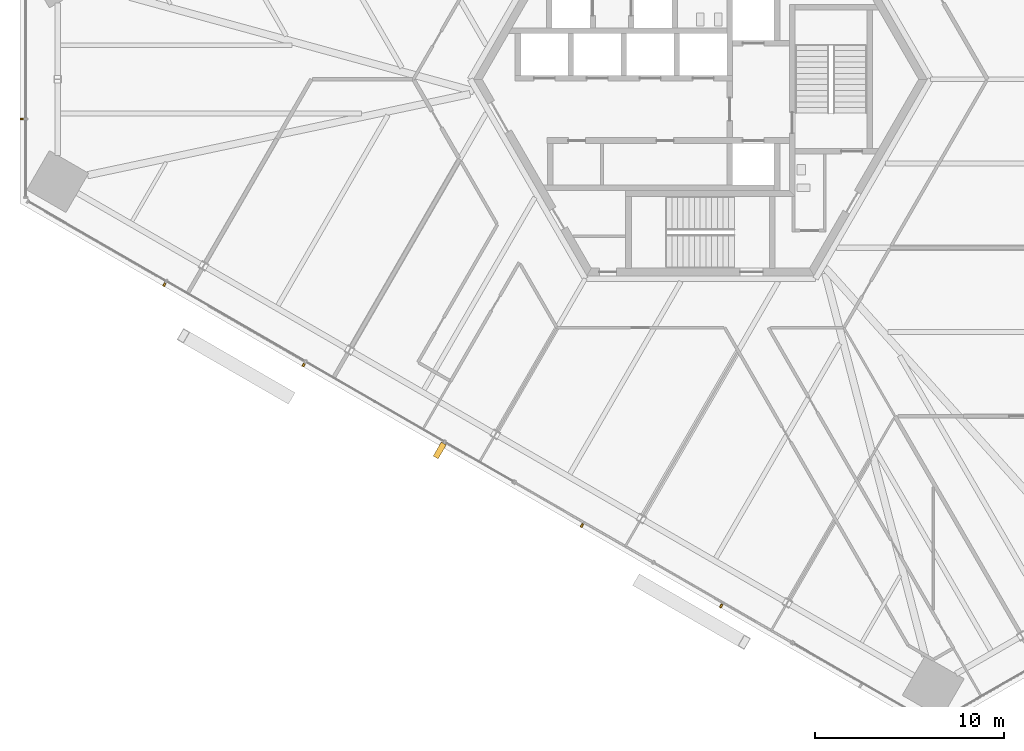
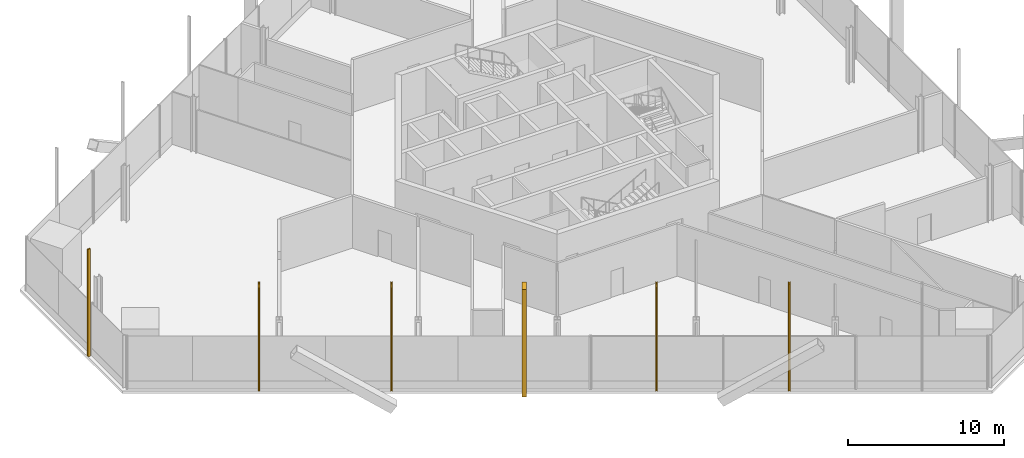
# One storey, part 15 of 19: 6 shading devices.
"""IFC4 building model written with IfcOpenShell, lengths in metres."""

import ifcopenshell
import ifcopenshell.guid

model = None  # the IFC model being written
_history = None  # IfcOwnerHistory: only IFC2X3 demands one
_inside = {}  # id of a spatial element -> (the spatial element, [elements in it])
_under = {}  # id of a project, library or spatial element -> (it, [spatial elements below it])
_declared = {}  # id of a project -> (the project, [libraries it declares])
_typed = {}  # id of a type object -> (the type object, [elements of that type])
_made_of = {}  # id of a material, layer set ... -> (it, [elements and type objects made of it])


def new_model(schema):
    """Start an empty IFC model of exactly this schema.

    Asked for "IFC4X3", IfcOpenShell would pick the latest addendum, in which some entities
    have other attributes; the version numbers below select the first issue.
    IFC2X3 requires an IfcOwnerHistory on every rooted entity: one is made here for all.
    """
    global model, _history
    if schema == "IFC4X3":
        model = ifcopenshell.file(schema_version=(4, 3, 0, 0))
    else:
        model = ifcopenshell.file(schema=schema)
    _inside.clear()
    _under.clear()
    _declared.clear()
    _typed.clear()
    _made_of.clear()
    _history = None
    if model.schema == "IFC2X3":
        org = make("IfcOrganization", Name="unknown")
        user = make(
            "IfcPersonAndOrganization",
            ThePerson=make("IfcPerson", FamilyName="unknown"),
            TheOrganization=org,
        )
        app = make(
            "IfcApplication",
            ApplicationDeveloper=org,
            Version="unknown",
            ApplicationFullName="unknown",
            ApplicationIdentifier="unknown",
        )
        _history = make(
            "IfcOwnerHistory",
            OwningUser=user,
            OwningApplication=app,
            ChangeAction="ADDED",
            CreationDate=0,
        )
    return model


def make(cls, **values):
    """One entity of the class cls with the attributes given. An attribute that is None is left unset."""
    return model.create_entity(
        cls, **{name: value for name, value in values.items() if value is not None}
    )


def rooted(cls, **values):
    """An entity with a GlobalId (a new one), such as an element, a storey or a relation."""
    return make(cls, GlobalId=ifcopenshell.guid.new(), OwnerHistory=_history, **values)


def si_unit(unit_type, name, prefix=None):
    """IfcSIUnit, for example si_unit("LENGTHUNIT", "METRE", prefix="MILLI")."""
    return make("IfcSIUnit", UnitType=unit_type, Prefix=prefix, Name=name)


def assignment(units):
    """IfcUnitAssignment: the units of a project."""
    return None if units is None else make("IfcUnitAssignment", Units=units)


def point(xyz):
    """IfcCartesianPoint."""
    return None if xyz is None else make("IfcCartesianPoint", Coordinates=xyz)


def direction(xyz):
    """IfcDirection."""
    return None if xyz is None else make("IfcDirection", DirectionRatios=xyz)


def frame(location, z_axis=None, x_axis=None):
    """IfcAxis2Placement3D, a coordinate frame: its origin and axes. An axis left out is left unset."""
    return make(
        "IfcAxis2Placement3D",
        Location=point(location),
        Axis=direction(z_axis),
        RefDirection=direction(x_axis),
    )


def frame_2d(location, x_axis=None):
    """IfcAxis2Placement2D, a coordinate frame in the plane: its origin and x axis."""
    return make(
        "IfcAxis2Placement2D", Location=point(location), RefDirection=direction(x_axis)
    )


def origin():
    """The frame at (0, 0, 0) with its axes left unset."""
    return frame((0.0, 0.0, 0.0))


def origin_2d():
    """The frame at (0, 0) in the plane with its x axis left unset."""
    return frame_2d((0.0, 0.0))


def place(relative_to, where):
    """IfcLocalPlacement: puts the frame where relative to a parent placement (None: the world)."""
    return make(
        "IfcLocalPlacement", PlacementRelTo=relative_to, RelativePlacement=where
    )


def context(
    kind, dimensions, precision=None, world=None, true_north=None, identifier=None
):
    """IfcGeometricRepresentationContext, for example the 3D "Model" context."""
    return make(
        "IfcGeometricRepresentationContext",
        ContextIdentifier=identifier,
        ContextType=kind,
        CoordinateSpaceDimension=dimensions,
        Precision=precision,
        WorldCoordinateSystem=world,
        TrueNorth=true_north,
    )


def subcontext(parent, identifier, kind, view, scale=None):
    """IfcGeometricRepresentationSubContext, for example "Body" below "Model"."""
    return make(
        "IfcGeometricRepresentationSubContext",
        ContextIdentifier=identifier,
        ContextType=kind,
        ParentContext=parent,
        TargetScale=scale,
        TargetView=view,
    )


def project(units=None, contexts=None):
    """IfcProject with its units and contexts."""
    return rooted(
        "IfcProject",
        Name="project",
        RepresentationContexts=contexts,
        UnitsInContext=assignment(units),
    )


def spatial(cls, under=None, at=None, **own):
    """A site, building, storey or space (cls), placed at a placement, below another one or the project."""
    s = rooted(cls, ObjectPlacement=at, **own)
    if under is not None:
        _under.setdefault(under.id(), (under, []))[1].append(s)
    return s


def profile(cls, at=None, kind="AREA", **sizes):
    """A parametric profile (cls). Its sizes go by their IFC names, for example OverallWidth=200.0."""
    return make(cls, ProfileType=kind, Position=at, **sizes)


def rectangle(**sizes):
    """IfcRectangleProfileDef."""
    return profile("IfcRectangleProfileDef", **sizes)


def extrude(swept, where, along, depth):
    """IfcExtrudedAreaSolid: the profile swept, set in the frame where, extruded along a direction by depth."""
    return make(
        "IfcExtrudedAreaSolid",
        SweptArea=swept,
        Position=where,
        ExtrudedDirection=direction(along),
        Depth=depth,
    )


def shape(context_of_items, identifier, shape_type, items):
    """IfcShapeRepresentation: the items that make up one representation, for example the "Body"."""
    return make(
        "IfcShapeRepresentation",
        ContextOfItems=context_of_items,
        RepresentationIdentifier=identifier,
        RepresentationType=shape_type,
        Items=items,
    )


def source(mapping_origin, context_of_items, identifier, shape_type, items):
    """IfcRepresentationMap: a shape defined once, which mapped items show again and again."""
    return make(
        "IfcRepresentationMap",
        MappingOrigin=mapping_origin,
        MappedRepresentation=shape(context_of_items, identifier, shape_type, items),
    )


def transform(
    local_origin,
    x_axis=None,
    y_axis=None,
    z_axis=None,
    scale=None,
    scale2=None,
    scale3=None,
    uniform=True,
):
    """IfcCartesianTransformationOperator3D, or its non-uniform kind. x_axis, y_axis, z_axis: its Axis1, 2, 3."""
    if uniform:
        return make(
            "IfcCartesianTransformationOperator3D",
            Axis1=direction(x_axis),
            Axis2=direction(y_axis),
            LocalOrigin=point(local_origin),
            Scale=scale,
            Axis3=direction(z_axis),
        )
    return make(
        "IfcCartesianTransformationOperator3DnonUniform",
        Axis1=direction(x_axis),
        Axis2=direction(y_axis),
        LocalOrigin=point(local_origin),
        Scale=scale,
        Axis3=direction(z_axis),
        Scale2=scale2,
        Scale3=scale3,
    )


def mapped(mapping_source, mapping_target):
    """IfcMappedItem: shows the shape of a source again, moved by a transform."""
    return make(
        "IfcMappedItem", MappingSource=mapping_source, MappingTarget=mapping_target
    )


def material(Name=None, Category=None):
    """IfcMaterial."""
    return make("IfcMaterial", Name=Name, Category=Category)


def made_of(thing, what):
    """Note that an element or type object is made of a material, layer set ...; save() writes the relation."""
    if what is not None:
        _made_of.setdefault(what.id(), (what, []))[1].append(thing)
    return thing


def element(
    cls,
    number,
    at=None,
    inside=None,
    cuts=None,
    type_object=None,
    material=None,
    context=None,
    identifier="Body",
    shape_type=None,
    held_by="IfcProductDefinitionShape",
    body=None,
    shapes=None,
    **own,
):
    """One element of the class cls, such as IfcWall. Its Tag is "e" and its number.

    at: its placement. inside: the storey or other place that contains it. cuts: it is an
    opening in that element (IfcRelVoidsElement). A single representation is given by context,
    identifier, shape_type and body (its items); several are given by shapes. held_by: the class
    of the entity that holds the representations. save() writes the other relations.
    """
    e = rooted(cls, Tag="e%d" % number, ObjectPlacement=at, **own)
    if body is not None:
        shapes = [shape(context, identifier, shape_type, body)]
    if shapes is not None:
        e.Representation = make(held_by, Representations=shapes)
    if inside is not None:
        _inside.setdefault(inside.id(), (inside, []))[1].append(e)
    if cuts is not None:
        rooted(
            "IfcRelVoidsElement", RelatingBuildingElement=cuts, RelatedOpeningElement=e
        )
    if type_object is not None:
        _typed.setdefault(type_object.id(), (type_object, []))[1].append(e)
    return made_of(e, material)


def aggregate(whole, parts):
    """IfcRelAggregates: a whole, such as a stair, and the parts it consists of."""
    return rooted("IfcRelAggregates", RelatingObject=whole, RelatedObjects=parts)


def save(model, path):
    """Write the relations noted so far, then the file.

    IfcRelAggregates (storeys below a building ...), IfcRelContainedInSpatialStructure (elements
    in a storey), IfcRelDefinesByType, IfcRelAssociatesMaterial and IfcRelDeclares: one each for
    every whole, place, type object, material and project.
    """
    for whole, parts in _under.values():
        aggregate(whole, parts)
    for where, things in _inside.values():
        rooted(
            "IfcRelContainedInSpatialStructure",
            RelatedElements=things,
            RelatingStructure=where,
        )
    for kind, things in _typed.values():
        rooted("IfcRelDefinesByType", RelatedObjects=things, RelatingType=kind)
    for what, things in _made_of.values():
        rooted("IfcRelAssociatesMaterial", RelatedObjects=things, RelatingMaterial=what)
    for by, libraries in _declared.values():
        rooted("IfcRelDeclares", RelatingContext=by, RelatedDefinitions=libraries)
    model.write(path)


model = new_model("IFC4")

# Units and contexts
model_context = context("Model", 3, precision=1e-05, world=origin(), true_north=direction((0.0, 1.0)))
body_context = subcontext(model_context, "Body", "Model", "MODEL_VIEW")
ifc_project = project(units=[si_unit("LENGTHUNIT", "METRE"), si_unit("AREAUNIT", "SQUARE_METRE"), si_unit("VOLUMEUNIT", "CUBIC_METRE"), si_unit("PLANEANGLEUNIT", "RADIAN"), si_unit("MASSUNIT", "GRAM", prefix="KILO")], contexts=[model_context])

# Site, building, storey
site_placement = place(None, origin())
site = spatial("IfcSite", under=ifc_project, at=site_placement, CompositionType="ELEMENT")
building_placement = place(site_placement, origin())
building = spatial("IfcBuilding", under=site, at=building_placement, Name="Triune Harvest Tower", CompositionType="ELEMENT")
storey_placement = place(building_placement, frame((0.0, 0.0, 41.800048828125)))
storey = spatial("IfcBuildingStorey", under=building, at=storey_placement, Name="L09", CompositionType="ELEMENT", Elevation=41.800048828125)

# Shading devices
ifc_material = material(Name="Aluminium bronze anodised", Category="aluminium")
shared_shape_1 = source(origin(), body_context, "Body", "SweptSolid", [
    extrude(rectangle(XDim=0.10009765625, YDim=0.199951171875, at=origin_2d()), origin(), (0.0, 0.0, 1.0), 8.39990234375),
])
for number, where, z_axis, x_axis, name in (
    (1, (-35.880615234375, -2.098876953125, 0.0), (0.0, 0.0, 1.0), (0.0, -1.0, 0.0), "FN-1 fin B1-F4.3 L09"),
    (2, (-28.343505859375, -10.853759765625, 0.0), (0.0, 0.0, 1.0), (0.866025470037, -0.499999885247, 0.0), "FN-1 fin B1-F5.3 L09"),
    (3, (-20.984375, -15.1025390625, 0.0), (0.0, 0.0, 1.0), (0.866025470037, -0.499999885247, 0.0), "FN-1 fin B1-F5.5 L09"),
    (4, (-6.266357421875, -23.599853515625, 0.0), (0.0, 0.0, 1.0), (0.866025470037, -0.499999885247, 0.0), "FN-1 fin B1-F5.9 L09"),
    (5, (1.092529296875, -27.8486328125, 0.0), (0.0, 0.0, 1.0), (0.866025470037, -0.499999885247, 0.0), "FN-1 fin B1-F5.11 L09"),
):
    element("IfcShadingDevice", number, at=place(storey_placement, frame(where, z_axis=z_axis, x_axis=x_axis)), inside=storey, material=ifc_material, Name=name, ObjectType="FIN", PredefinedType="USERDEFINED", context=body_context, shape_type="MappedRepresentation", body=[
        mapped(shared_shape_1, transform((0.0, 0.0, 0.0), scale=1.0)),
    ])
shared_shape_2 = source(origin(), body_context, "Body", "SweptSolid", [
    extrude(rectangle(XDim=0.300048828125, YDim=0.85009765625, at=origin_2d()), origin(), (0.0, 0.0, 1.0), 8.39990234375),
])
shading_device_placement = place(storey_placement, frame((-13.787841796875, -19.632568359375, 0.0), z_axis=(0.0, 0.0, 1.0), x_axis=(0.866025470037, -0.499999885247, 0.0)))
element("IfcShadingDevice", 6, at=shading_device_placement, inside=storey, material=ifc_material, Name="FN-2 fin B1-F5.7 L09", ObjectType="FIN", PredefinedType="USERDEFINED", context=body_context, shape_type="MappedRepresentation", body=[
    mapped(shared_shape_2, transform((0.0, 0.0, 0.0), scale=1.0)),
])

save(model, "model.ifc")
